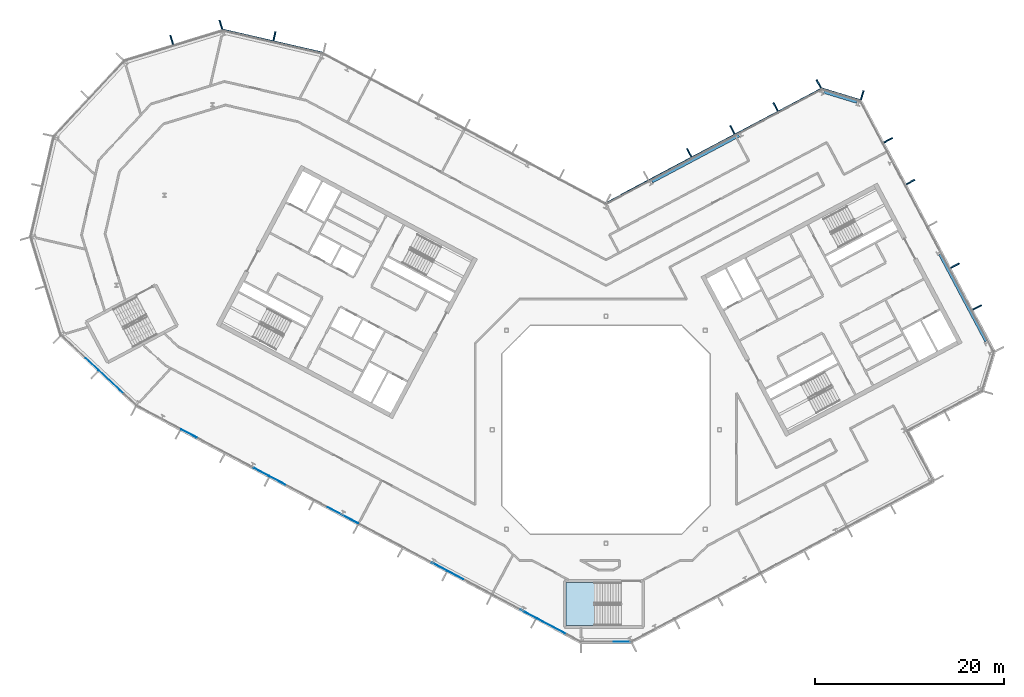
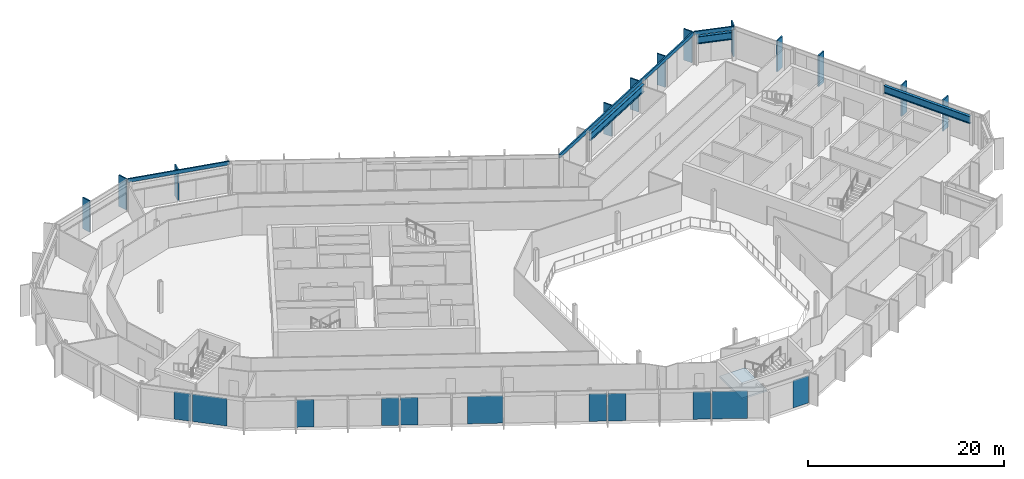
# One storey, part 10 of 26: 15 members, 11 plates, 3 beams, 1 slab, 9 elements without a shape of their own.
"""IFC4 building model written with IfcOpenShell, lengths in metres."""

from ifc_helpers import new_model, si_unit, direction, frame, origin, origin_2d, place, context, subcontext, project, spatial, polyline, rectangle, i_section, outline, extrude, material, layer, layer_set, material_profile, profile_set, type_object, element, aggregate, save


model = new_model("IFC4")

# Units and contexts
model_context = context("Model", 3, precision=1e-05, world=origin(), true_north=direction((0.0, 1.0)))
body_context = subcontext(model_context, "Body", "Model", "MODEL_VIEW")
ifc_project = project(units=[si_unit("LENGTHUNIT", "METRE"), si_unit("AREAUNIT", "SQUARE_METRE"), si_unit("VOLUMEUNIT", "CUBIC_METRE"), si_unit("PLANEANGLEUNIT", "RADIAN"), si_unit("MASSUNIT", "GRAM", prefix="KILO")], contexts=[model_context])

# Site, building, storey
site_placement = place(None, origin())
site = spatial("IfcSite", under=ifc_project, at=site_placement, CompositionType="ELEMENT")
building_placement = place(site_placement, origin())
building = spatial("IfcBuilding", under=site, at=building_placement, Name="Cormorant Relay Tower", CompositionType="ELEMENT")
storey_placement = place(building_placement, frame((0.0, 0.0, 316.5)))
storey = spatial("IfcBuildingStorey", under=building, at=storey_placement, Name="L72", CompositionType="ELEMENT", Elevation=316.5)

# Curtain wall, members
ifc_material_1 = material(Name="Aluminium 6063-T6 anodised bronze", Category="aluminium")
ifc_layer_1 = layer(ifc_material_1, 0.199951171875)
ifc_layer_set_1 = layer_set([ifc_layer_1], Name="CW1 unitised bronze curtain wall with vertical fins")
curtain_wall_type = type_object("IfcCurtainWallType", Name="CW1 unitised bronze curtain wall with vertical fins", PredefinedType="NOTDEFINED", material=ifc_layer_set_1)
curtain_wall_1_placement = place(storey_placement, origin())
curtain_wall_1 = element("IfcCurtainWall", 1, at=curtain_wall_1_placement, inside=storey, type_object=curtain_wall_type, Name="CW1 curtain wall 6", PredefinedType="NOTDEFINED")
ifc_material_2 = material(Name="Aluminium 6063-T6 anodised bronze", Category="aluminium")
ifc_material_profile_1 = material_profile(ifc_material_2, rectangle(XDim=0.14990234375, YDim=1.0, at=origin_2d()), Name="AL 150x1000")
ifc_profile_set_1 = profile_set([ifc_material_profile_1], Name="Aluminium 6063-T6 anodised bronze")
member_type_1 = type_object("IfcMemberType", Name="CW1 bronze fin mullion 150 x 1000", PredefinedType="MULLION", material=ifc_profile_set_1)
member_1_placement = place(storey_placement, frame((39.222412109375, 12.927001953125, 0.0), z_axis=(0.0, 0.0, 1.0), x_axis=(-0.469471562786, 0.882947592859, 0.0)))
member_1 = element("IfcMember", 2, at=member_1_placement, type_object=member_type_1, Name="CW1 fin 6.2", PredefinedType="MULLION", context=body_context, shape_type="SweptSolid", body=[
    extrude(rectangle(XDim=0.14990234375, YDim=1.0, at=origin_2d()), origin(), (0.0, 0.0, 1.0), 3.89990234375),
])
member_2_placement = place(storey_placement, frame((36.875, 17.341552734375, 0.0), z_axis=(0.0, 0.0, 1.0), x_axis=(-0.469471562786, 0.882947592859, 0.0)))
member_2 = element("IfcMember", 3, at=member_2_placement, type_object=member_type_1, Name="CW1 fin 6.3", PredefinedType="MULLION", context=body_context, shape_type="SweptSolid", body=[
    extrude(rectangle(XDim=0.14990234375, YDim=1.0, at=origin_2d()), origin(), (0.0, 0.0, 1.0), 3.89990234375),
])
member_3_placement = place(storey_placement, frame((32.18017578125, 26.171142578125, 0.0), z_axis=(0.0, 0.0, 1.0), x_axis=(-0.469471562786, 0.882947592859, 0.0)))
member_3 = element("IfcMember", 4, at=member_3_placement, type_object=member_type_1, Name="CW1 fin 6.5", PredefinedType="MULLION", context=body_context, shape_type="SweptSolid", body=[
    extrude(rectangle(XDim=0.14990234375, YDim=1.0, at=origin_2d()), origin(), (0.0, 0.0, 1.0), 3.89990234375),
])
member_4_placement = place(storey_placement, frame((29.832763671875, 30.585693359375, 0.0), z_axis=(0.0, 0.0, 1.0), x_axis=(-0.469471562786, 0.882947592859, 0.0)))
member_4 = element("IfcMember", 5, at=member_4_placement, type_object=member_type_1, Name="CW1 fin 6.6", PredefinedType="MULLION", context=body_context, shape_type="SweptSolid", body=[
    extrude(rectangle(XDim=0.14990234375, YDim=1.0, at=origin_2d()), origin(), (0.0, 0.0, 1.0), 3.89990234375),
])
aggregate(curtain_wall_1, [member_1, member_2, member_3, member_4])

# Curtain wall, member
curtain_wall_2_placement = place(storey_placement, origin())
curtain_wall_2 = element("IfcCurtainWall", 6, at=curtain_wall_2_placement, inside=storey, type_object=curtain_wall_type, Name="CW1 curtain wall 7", PredefinedType="NOTDEFINED")
member_5_placement = place(storey_placement, frame((27.072021484375, 35.34130859375, 0.0), z_axis=(0.0, 0.0, 1.0), x_axis=(-0.956304755963, 0.292371704723, 0.0)))
member_5 = element("IfcMember", 7, at=member_5_placement, type_object=member_type_1, Name="CW1 fin 7.1", PredefinedType="MULLION", context=body_context, shape_type="SweptSolid", body=[
    extrude(rectangle(XDim=0.14990234375, YDim=1.0, at=origin_2d()), origin(), (0.0, 0.0, 1.0), 3.89990234375),
])

# Curtain wall, members
curtain_wall_3_placement = place(storey_placement, origin())
curtain_wall_3 = element("IfcCurtainWall", 8, at=curtain_wall_3_placement, inside=storey, type_object=curtain_wall_type, Name="CW1 curtain wall 8", PredefinedType="NOTDEFINED")
member_6_placement = place(storey_placement, frame((22.4814453125, 36.530517578125, 0.0), z_axis=(0.0, 0.0, 1.0), x_axis=(-0.882947592859, -0.469471562786, 0.0)))
member_6 = element("IfcMember", 9, at=member_6_placement, type_object=member_type_1, Name="CW1 fin 8.1", PredefinedType="MULLION", context=body_context, shape_type="SweptSolid", body=[
    extrude(rectangle(XDim=0.14990234375, YDim=1.0, at=origin_2d()), origin(), (0.0, 0.0, 1.0), 3.89990234375),
])
member_7_placement = place(storey_placement, frame((17.91943359375, 34.104736328125, 0.0), z_axis=(0.0, 0.0, 1.0), x_axis=(-0.882947592859, -0.469471562786, 0.0)))
member_7 = element("IfcMember", 10, at=member_7_placement, type_object=member_type_1, Name="CW1 fin 8.2", PredefinedType="MULLION", context=body_context, shape_type="SweptSolid", body=[
    extrude(rectangle(XDim=0.14990234375, YDim=1.0, at=origin_2d()), origin(), (0.0, 0.0, 1.0), 3.89990234375),
])
member_8_placement = place(storey_placement, frame((13.357421875, 31.67919921875, 0.0), z_axis=(0.0, 0.0, 1.0), x_axis=(-0.882947592859, -0.469471562786, 0.0)))
member_8 = element("IfcMember", 11, at=member_8_placement, type_object=member_type_1, Name="CW1 fin 8.3", PredefinedType="MULLION", context=body_context, shape_type="SweptSolid", body=[
    extrude(rectangle(XDim=0.14990234375, YDim=1.0, at=origin_2d()), origin(), (0.0, 0.0, 1.0), 3.89990234375),
])
member_9_placement = place(storey_placement, frame((8.79541015625, 29.25341796875, 0.0), z_axis=(0.0, 0.0, 1.0), x_axis=(-0.882947592859, -0.469471562786, 0.0)))
member_9 = element("IfcMember", 12, at=member_9_placement, type_object=member_type_1, Name="CW1 fin 8.4", PredefinedType="MULLION", context=body_context, shape_type="SweptSolid", body=[
    extrude(rectangle(XDim=0.14990234375, YDim=1.0, at=origin_2d()), origin(), (0.0, 0.0, 1.0), 3.89990234375),
])

# Curtain wall, member
curtain_wall_4_placement = place(storey_placement, origin())
curtain_wall_4 = element("IfcCurtainWall", 13, at=curtain_wall_4_placement, inside=storey, type_object=curtain_wall_type, Name="CW1 curtain wall 10", PredefinedType="NOTDEFINED")
member_10_placement = place(storey_placement, frame((-35.01220703125, 41.57275390625, 0.0), z_axis=(0.0, 0.0, 1.0), x_axis=(-0.974370064785, 0.224951054344, 0.0)))
member_10 = element("IfcMember", 14, at=member_10_placement, type_object=member_type_1, Name="CW1 fin 10.2", PredefinedType="MULLION", context=body_context, shape_type="SweptSolid", body=[
    extrude(rectangle(XDim=0.14990234375, YDim=1.0, at=origin_2d()), origin(), (0.0, 0.0, 1.0), 3.89990234375),
])

# Curtain wall, members
curtain_wall_5_placement = place(storey_placement, origin())
curtain_wall_5 = element("IfcCurtainWall", 15, at=curtain_wall_5_placement, inside=storey, type_object=curtain_wall_type, Name="CW1 curtain wall 11", PredefinedType="NOTDEFINED")
member_11_placement = place(storey_placement, frame((-40.670166015625, 42.78271484375, 0.0), z_axis=(0.0, 0.0, 1.0), x_axis=(-0.956304755963, -0.292371704723, 0.0)))
member_11 = element("IfcMember", 16, at=member_11_placement, type_object=member_type_1, Name="CW1 fin 11.1", PredefinedType="MULLION", context=body_context, shape_type="SweptSolid", body=[
    extrude(rectangle(XDim=0.14990234375, YDim=1.0, at=origin_2d()), origin(), (0.0, 0.0, 1.0), 3.89990234375),
])
member_12_placement = place(storey_placement, frame((-45.867919921875, 41.193603515625, 0.0), z_axis=(0.0, 0.0, 1.0), x_axis=(-0.956304755963, -0.292371704723, 0.0)))
member_12 = element("IfcMember", 17, at=member_12_placement, type_object=member_type_1, Name="CW1 fin 11.2", PredefinedType="MULLION", context=body_context, shape_type="SweptSolid", body=[
    extrude(rectangle(XDim=0.14990234375, YDim=1.0, at=origin_2d()), origin(), (0.0, 0.0, 1.0), 3.89990234375),
])
aggregate(curtain_wall_5, [member_11, member_12])

# Member
ifc_material_3 = material(Name="Aluminium 6063-T6 anodised bronze", Category="aluminium")
ifc_material_profile_2 = material_profile(ifc_material_3, rectangle(XDim=0.159912109375, YDim=0.449951171875, at=origin_2d()), Name="AL 160x450")
ifc_profile_set_2 = profile_set([ifc_material_profile_2], Name="Aluminium 6063-T6 anodised bronze")
member_type_2 = type_object("IfcMemberType", Name="CW1 bronze transom 160 x 450", PredefinedType="USERDEFINED", material=ifc_profile_set_2)
member_13_placement = place(storey_placement, frame((26.902587890625, 34.78662109375, 3.675048828125), z_axis=(-0.956303761594, 0.292374957137, 0.0), x_axis=(-0.292374957137, -0.956303761594, 0.0)))
member_13 = element("IfcMember", 18, at=member_13_placement, type_object=member_type_2, Name="CW1 transom 7", ObjectType="TRANSOM", PredefinedType="USERDEFINED", context=body_context, shape_type="SweptSolid", body=[
    extrude(rectangle(XDim=0.159912109375, YDim=0.449951171875, at=origin_2d()), origin(), (0.0, 0.0, 1.0), 4.24267578125),
])

aggregate(curtain_wall_2, [member_5, member_13])

member_14_placement = place(storey_placement, frame((22.75390625, 36.018310546875, 3.675048828125), z_axis=(-0.882948156597, -0.469470502547, 0.0), x_axis=(0.469470502547, -0.882948156597, 0.0)))
member_14 = element("IfcMember", 19, at=member_14_placement, type_object=member_type_2, Name="CW1 transom 8", ObjectType="TRANSOM", PredefinedType="USERDEFINED", context=body_context, shape_type="SweptSolid", body=[
    extrude(rectangle(XDim=0.159912109375, YDim=0.449951171875, at=origin_2d()), origin(), (0.0, 0.0, 1.0), 25.834228515625),
])

aggregate(curtain_wall_3, [member_6, member_7, member_8, member_9, member_14])

member_15_placement = place(storey_placement, frame((-29.8466796875, 39.784912109375, 3.675048828125), z_axis=(-0.974365070969, 0.224972683844, 0.0), x_axis=(-0.224972683844, -0.974365070969, 0.0)))
member_15 = element("IfcMember", 20, at=member_15_placement, type_object=member_type_2, Name="CW1 transom 10", ObjectType="TRANSOM", PredefinedType="USERDEFINED", context=body_context, shape_type="SweptSolid", body=[
    extrude(rectangle(XDim=0.159912109375, YDim=0.449951171875, at=origin_2d()), origin(), (0.0, 0.0, 1.0), 10.870361328125),
])

aggregate(curtain_wall_4, [member_10, member_15])

# Beams
ifc_material_4 = material(Name="Steel ASTM A992 (Fy 345 MPa)", Category="steel")
ifc_material_profile_3 = material_profile(ifc_material_4, i_section(OverallWidth=0.307373046875, OverallDepth=0.927001953125, WebThickness=0.019287109375, FlangeThickness=0.031982421875, FilletRadius=0.01904296875, at=origin_2d()), Name="W920x289")
ifc_profile_set_3 = profile_set([ifc_material_profile_3], Name="Steel ASTM A992 (Fy 345 MPa)")
beam_type = type_object("IfcBeamType", Name="Spandrel W920x289", PredefinedType="SPANDREL", material=ifc_profile_set_3)
beam_1_placement = place(storey_placement, frame((40.1591796875, 9.3466796875, 2.986328125), z_axis=(-0.469474391681, 0.882946088703, 0.0), x_axis=(-0.882946088703, -0.469474391681, 0.0)))
element("IfcBeam", 21, at=beam_1_placement, inside=storey, type_object=beam_type, Name="Spandrel beam L72-006", PredefinedType="SPANDREL", context=body_context, shape_type="SweptSolid", body=[
    extrude(i_section(OverallWidth=0.307373046875, OverallDepth=0.927001953125, WebThickness=0.019287109375, FlangeThickness=0.031982421875, FilletRadius=0.01904296875, at=origin_2d()), origin(), (0.0, 0.0, 1.0), 10.401611328125),
])
beam_2_placement = place(storey_placement, frame((26.512451171875, 34.619873046875, 2.986328125), z_axis=(-0.956313678807, 0.292342517821, 0.0), x_axis=(-0.292342517821, -0.956313678807, 0.0)))
element("IfcBeam", 22, at=beam_2_placement, inside=storey, type_object=beam_type, Name="Spandrel beam L72-007", PredefinedType="SPANDREL", context=body_context, shape_type="SweptSolid", body=[
    extrude(i_section(OverallWidth=0.307373046875, OverallDepth=0.927001953125, WebThickness=0.019287109375, FlangeThickness=0.031982421875, FilletRadius=0.01904296875, at=origin_2d()), origin(), (0.0, 0.0, 1.0), 3.65185546875),
])
beam_3_placement = place(storey_placement, frame((14.05322265625, 31.082275390625, 2.986328125), z_axis=(-0.882950644937, -0.469465822617, 0.0), x_axis=(0.469465822617, -0.882950644937, 0.0)))
element("IfcBeam", 23, at=beam_3_placement, inside=storey, type_object=beam_type, Name="Spandrel beam L72-008", PredefinedType="SPANDREL", context=body_context, shape_type="SweptSolid", body=[
    extrude(i_section(OverallWidth=0.307373046875, OverallDepth=0.927001953125, WebThickness=0.019287109375, FlangeThickness=0.031982421875, FilletRadius=0.01904296875, at=origin_2d()), origin(), (0.0, 0.0, 1.0), 10.4013671875),
])

# Curtain wall, plate
curtain_wall_6_placement = place(storey_placement, origin())
curtain_wall_6 = element("IfcCurtainWall", 24, at=curtain_wall_6_placement, inside=storey, type_object=curtain_wall_type, Name="CW1 curtain wall 1", PredefinedType="NOTDEFINED")
ifc_material_5 = material(Name="Tinted laminated glass", Category="glass")
ifc_layer_2 = layer(ifc_material_5, 0.0400390625)
ifc_layer_set_2 = layer_set([ifc_layer_2], Name="CW1 tinted vision panel 1800 module")
plate_type_1 = type_object("IfcPlateType", Name="CW1 tinted vision panel 1800 module", PredefinedType="CURTAIN_PANEL", material=ifc_layer_set_2)
plate_1_placement = place(storey_placement, frame((1.748779296875, -22.3955078125, 0.0), z_axis=(0.0, 0.0, 1.0), x_axis=(1.0, 0.0, 0.0)))
plate_1 = element("IfcPlate", 25, at=plate_1_placement, type_object=plate_type_1, Name="CW1 panel V01", PredefinedType="CURTAIN_PANEL", context=body_context, shape_type="SweptSolid", body=[
    extrude(rectangle(XDim=1.800048828125, YDim=0.0400390625, at=origin_2d()), origin(), (0.0, 0.0, 1.0), 3.449951171875),
])
aggregate(curtain_wall_6, [plate_1])

curtain_wall_7_placement = place(storey_placement, origin())
curtain_wall_7 = element("IfcCurtainWall", 26, at=curtain_wall_7_placement, inside=storey, type_object=curtain_wall_type, Name="CW1 curtain wall 15", PredefinedType="NOTDEFINED")
plate_2_placement = place(storey_placement, frame((-54.293212890625, 6.94140625, 0.0), z_axis=(0.0, 0.0, 1.0), x_axis=(0.731353701619, -0.681998360062, 0.0)))
plate_2 = element("IfcPlate", 27, at=plate_2_placement, type_object=plate_type_1, Name="CW1 panel V01", PredefinedType="CURTAIN_PANEL", context=body_context, shape_type="SweptSolid", body=[
    extrude(rectangle(XDim=1.800048828125, YDim=0.0400390625, at=origin_2d()), origin(), (0.0, 0.0, 1.0), 3.449951171875),
])

# Curtain wall, plates
curtain_wall_8_placement = place(storey_placement, origin())
curtain_wall_8 = element("IfcCurtainWall", 28, at=curtain_wall_8_placement, inside=storey, type_object=curtain_wall_type, Name="CW1 curtain wall 16", PredefinedType="NOTDEFINED")
plate_3_placement = place(storey_placement, frame((-44.0458984375, -0.38720703125, 0.0), z_axis=(0.0, 0.0, 1.0), x_axis=(0.882947592859, -0.469471562786, 0.0)))
plate_3 = element("IfcPlate", 29, at=plate_3_placement, type_object=plate_type_1, Name="CW1 panel V01", PredefinedType="CURTAIN_PANEL", context=body_context, shape_type="SweptSolid", body=[
    extrude(rectangle(XDim=1.800048828125, YDim=0.0400390625, at=origin_2d()), origin(), (0.0, 0.0, 1.0), 3.449951171875),
])
plate_4_placement = place(storey_placement, frame((-36.37890625, -4.463623046875, 0.0), z_axis=(0.0, 0.0, 1.0), x_axis=(0.882947592859, -0.469471562786, 0.0)))
plate_4 = element("IfcPlate", 30, at=plate_4_placement, type_object=plate_type_1, Name="CW1 panel V03", PredefinedType="CURTAIN_PANEL", context=body_context, shape_type="SweptSolid", body=[
    extrude(rectangle(XDim=1.800048828125, YDim=0.0400390625, at=origin_2d()), origin(), (0.0, 0.0, 1.0), 3.449951171875),
])
plate_5_placement = place(storey_placement, frame((-34.6572265625, -5.37890625, 0.0), z_axis=(0.0, 0.0, 1.0), x_axis=(0.882947592859, -0.469471562786, 0.0)))
plate_5 = element("IfcPlate", 31, at=plate_5_placement, type_object=plate_type_1, Name="CW1 panel V04", PredefinedType="CURTAIN_PANEL", context=body_context, shape_type="SweptSolid", body=[
    extrude(rectangle(XDim=1.800048828125, YDim=0.0400390625, at=origin_2d()), origin(), (0.0, 0.0, 1.0), 3.449951171875),
])
plate_6_placement = place(storey_placement, frame((-17.601806640625, -14.447509765625, 0.0), z_axis=(0.0, 0.0, 1.0), x_axis=(0.882947592859, -0.469471562786, 0.0)))
plate_6 = element("IfcPlate", 32, at=plate_6_placement, type_object=plate_type_1, Name="CW1 panel V08", PredefinedType="CURTAIN_PANEL", context=body_context, shape_type="SweptSolid", body=[
    extrude(rectangle(XDim=1.800048828125, YDim=0.0400390625, at=origin_2d()), origin(), (0.0, 0.0, 1.0), 3.449951171875),
])
plate_7_placement = place(storey_placement, frame((-15.880126953125, -15.363037109375, 0.0), z_axis=(0.0, 0.0, 1.0), x_axis=(0.882947592859, -0.469471562786, 0.0)))
plate_7 = element("IfcPlate", 33, at=plate_7_placement, type_object=plate_type_1, Name="CW1 panel V09", PredefinedType="CURTAIN_PANEL", context=body_context, shape_type="SweptSolid", body=[
    extrude(rectangle(XDim=1.800048828125, YDim=0.0400390625, at=origin_2d()), origin(), (0.0, 0.0, 1.0), 3.449951171875),
])
plate_8_placement = place(storey_placement, frame((-8.21337890625, -19.439453125, 0.0), z_axis=(0.0, 0.0, 1.0), x_axis=(0.882947592859, -0.469471562786, 0.0)))
plate_8 = element("IfcPlate", 34, at=plate_8_placement, type_object=plate_type_1, Name="CW1 panel V11", PredefinedType="CURTAIN_PANEL", context=body_context, shape_type="SweptSolid", body=[
    extrude(rectangle(XDim=1.800048828125, YDim=0.0400390625, at=origin_2d()), origin(), (0.0, 0.0, 1.0), 3.449951171875),
])

# Plate
ifc_material_6 = material(Name="Tinted laminated glass", Category="glass")
ifc_layer_3 = layer(ifc_material_6, 0.0400390625)
ifc_layer_set_3 = layer_set([ifc_layer_3], Name="CW1 tinted vision panel 3600 module")
plate_type_2 = type_object("IfcPlateType", Name="CW1 tinted vision panel 3600 module", PredefinedType="CURTAIN_PANEL", material=ifc_layer_set_3)
plate_9_placement = place(storey_placement, frame((-52.208984375, 4.997802734375, 0.0), z_axis=(0.0, 0.0, 1.0), x_axis=(0.731353701619, -0.681998360062, 0.0)))
plate_9 = element("IfcPlate", 35, at=plate_9_placement, type_object=plate_type_2, Name="CW1 panel V02", PredefinedType="CURTAIN_PANEL", context=body_context, shape_type="SweptSolid", body=[
    extrude(rectangle(XDim=3.60009765625, YDim=0.0400390625, at=origin_2d()), origin(), (0.0, 0.0, 1.0), 3.449951171875),
])

aggregate(curtain_wall_7, [plate_2, plate_9])

plate_10_placement = place(storey_placement, frame((-27.78515625, -9.032958984375, 0.0), z_axis=(0.0, 0.0, 1.0), x_axis=(0.882947592859, -0.469471562786, 0.0)))
plate_10 = element("IfcPlate", 36, at=plate_10_placement, type_object=plate_type_2, Name="CW1 panel V06", PredefinedType="CURTAIN_PANEL", context=body_context, shape_type="SweptSolid", body=[
    extrude(rectangle(XDim=3.60009765625, YDim=0.0400390625, at=origin_2d()), origin(), (0.0, 0.0, 1.0), 3.449951171875),
])

plate_11_placement = place(storey_placement, frame((-5.697021484375, -20.777587890625, 0.0), z_axis=(0.0, 0.0, 1.0), x_axis=(0.882947592859, -0.469471562786, 0.0)))
plate_11 = element("IfcPlate", 37, at=plate_11_placement, type_object=plate_type_2, Name="CW1 panel V12", PredefinedType="CURTAIN_PANEL", context=body_context, shape_type="SweptSolid", body=[
    extrude(rectangle(XDim=3.60009765625, YDim=0.0400390625, at=origin_2d()), origin(), (0.0, 0.0, 1.0), 3.449951171875),
])

aggregate(curtain_wall_8, [plate_3, plate_4, plate_5, plate_10, plate_6, plate_7, plate_8, plate_11])

# Stair, slab
ifc_material_7 = material(Name="Concrete 40 MPa", Category="concrete")
stair_type = type_object("IfcStairType", Name="Remote exit stair 2200", PredefinedType="HALF_TURN_STAIR", material=ifc_material_7)
stair_placement = place(storey_placement, origin())
stair = element("IfcStair", 38, at=stair_placement, inside=storey, type_object=stair_type, Name="L72 Stair", PredefinedType="HALF_TURN_STAIR")
ifc_material_8 = material(Name="Concrete 40 MPa", Category="concrete")
ifc_layer_4 = layer(ifc_material_8, 0.199951171875)
ifc_layer_set_4 = layer_set([ifc_layer_4], Name="Exit stair landing 200")
slab_type = type_object("IfcSlabType", Name="Exit stair landing 200", PredefinedType="LANDING", material=ifc_layer_set_4)
slab_placement = place(storey_placement, frame((0.0, 0.0, 1.75)))
slab = element("IfcSlab", 39, at=slab_placement, type_object=slab_type, Name="RK1 landing 1", PredefinedType="LANDING", context=body_context, shape_type="SweptSolid", body=[
    extrude(outline(polyline([(-1.199951171875, -16.125), (-4.199951171875, -16.125), (-4.199951171875, -20.675048828125), (-1.199951171875, -20.675048828125), (-1.199951171875, -16.125)])), origin(), (0.0, 0.0, 1.0), 0.199951171875),
])
aggregate(stair, [slab])

save(model, "model.ifc")
